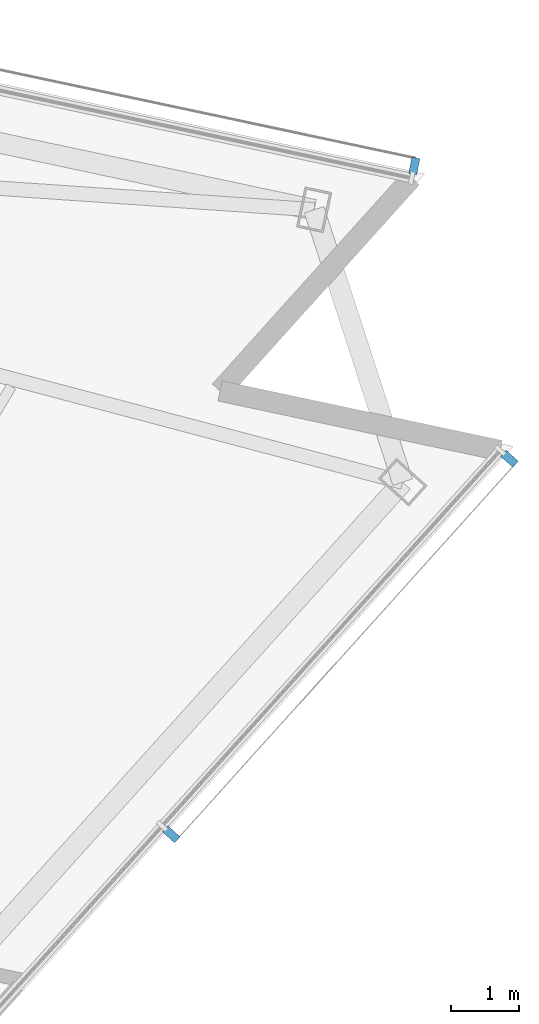
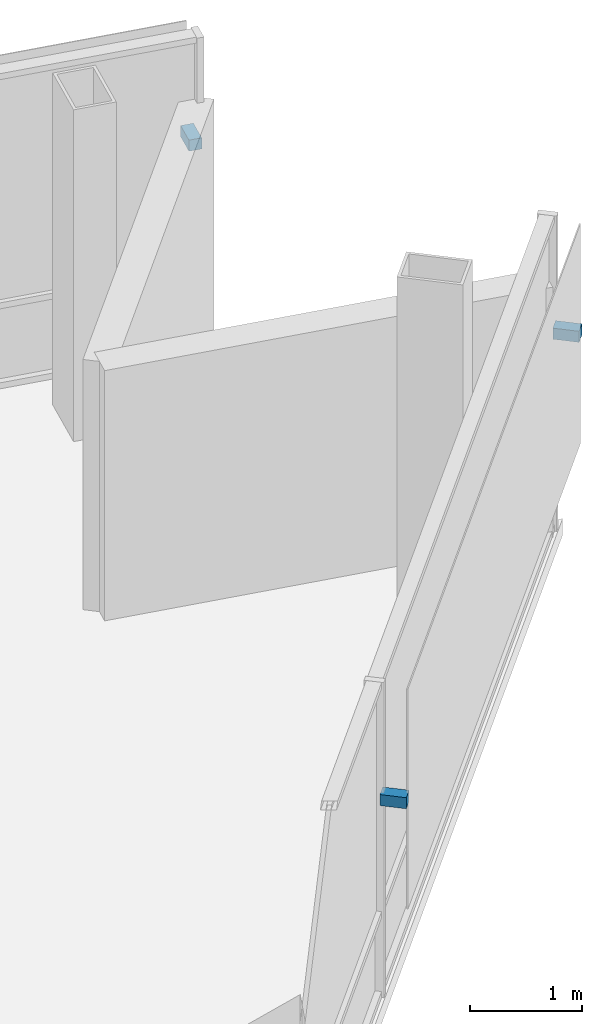
# One storey, part 14 of 17: 3 discrete accessories.
"""IFC4 building model written with IfcOpenShell, lengths in metres."""

from ifc_helpers import new_model, si_unit, direction, frame, origin, origin_2d, place, context, subcontext, project, spatial, rectangle, extrude, material, type_object, element, save


model = new_model("IFC4")

# Units and contexts
model_context = context("Model", 3, precision=1e-05, world=origin(), true_north=direction((0.0, 1.0)))
body_context = subcontext(model_context, "Body", "Model", "MODEL_VIEW")
ifc_project = project(units=[si_unit("LENGTHUNIT", "METRE"), si_unit("AREAUNIT", "SQUARE_METRE"), si_unit("VOLUMEUNIT", "CUBIC_METRE"), si_unit("PLANEANGLEUNIT", "RADIAN"), si_unit("MASSUNIT", "GRAM", prefix="KILO")], contexts=[model_context])

# Site, building, storey
site_placement = place(None, origin())
site = spatial("IfcSite", under=ifc_project, at=site_placement, CompositionType="ELEMENT")
building_placement = place(site_placement, origin())
building = spatial("IfcBuilding", under=site, at=building_placement, Name="Tharavind Bronze Gate", CompositionType="ELEMENT")
storey_placement = place(building_placement, frame((0.0, 0.0, 200.449951171875)))
storey = spatial("IfcBuildingStorey", under=building, at=storey_placement, Name="L51", CompositionType="ELEMENT", Elevation=200.449951171875)

# Discrete accessories
ifc_material = material(Name="Stainless Steel 316", Category="steel")
discrete_accessory_type = type_object("IfcDiscreteAccessoryType", Name="SOLAR SCREEN STANDOFF BRACKET", PredefinedType="BRACKET", material=ifc_material)
for number, where, z_axis, x_axis, name in (
    (1, (25.388671875, -2.80126953125, 2.10009765625), (0.0, 0.0, 1.0), (0.669130606359, 0.743144825477, 0.0), "CW-L51-S2 solar screen bracket 7.1"),
    (2, (30.333251953125, 2.690185546875, 2.10009765625), (0.0, 0.0, 1.0), (0.669130606359, 0.743144825477, 0.0), "CW-L51-S2 solar screen bracket 7.2"),
    (3, (28.942626953125, 6.9697265625, 2.10009765625), (0.0, 0.0, 1.0), (-0.978147600734, 0.207911690818, 0.0), "CW-L51-S3 solar screen bracket 1.1"),
):
    element("IfcDiscreteAccessory", number, at=place(storey_placement, frame(where, z_axis=z_axis, x_axis=x_axis)), inside=storey, type_object=discrete_accessory_type, Name=name, PredefinedType="BRACKET", context=body_context, shape_type="SweptSolid", body=[
        extrude(rectangle(XDim=0.1201171875, YDim=0.239990234375, at=origin_2d()), origin(), (0.0, 0.0, 1.0), 0.1201171875),
    ])

save(model, "model.ifc")
